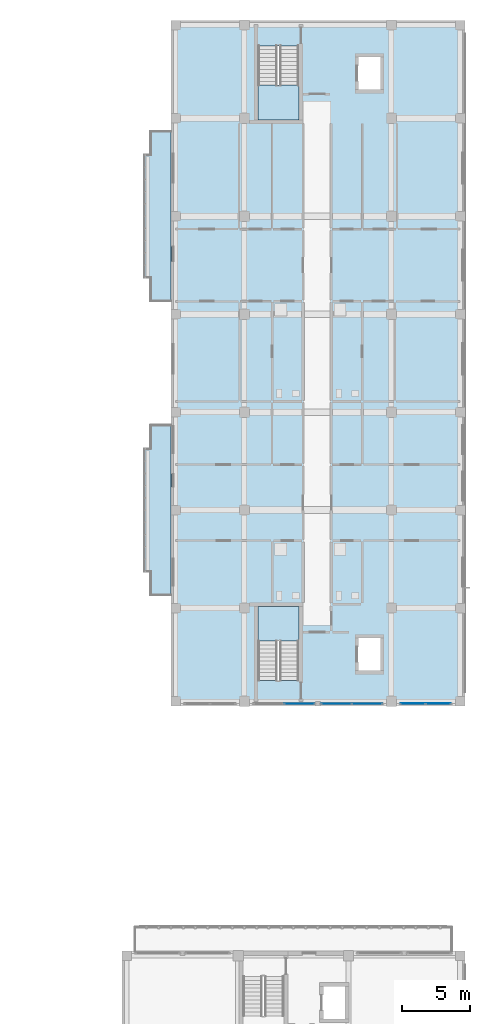
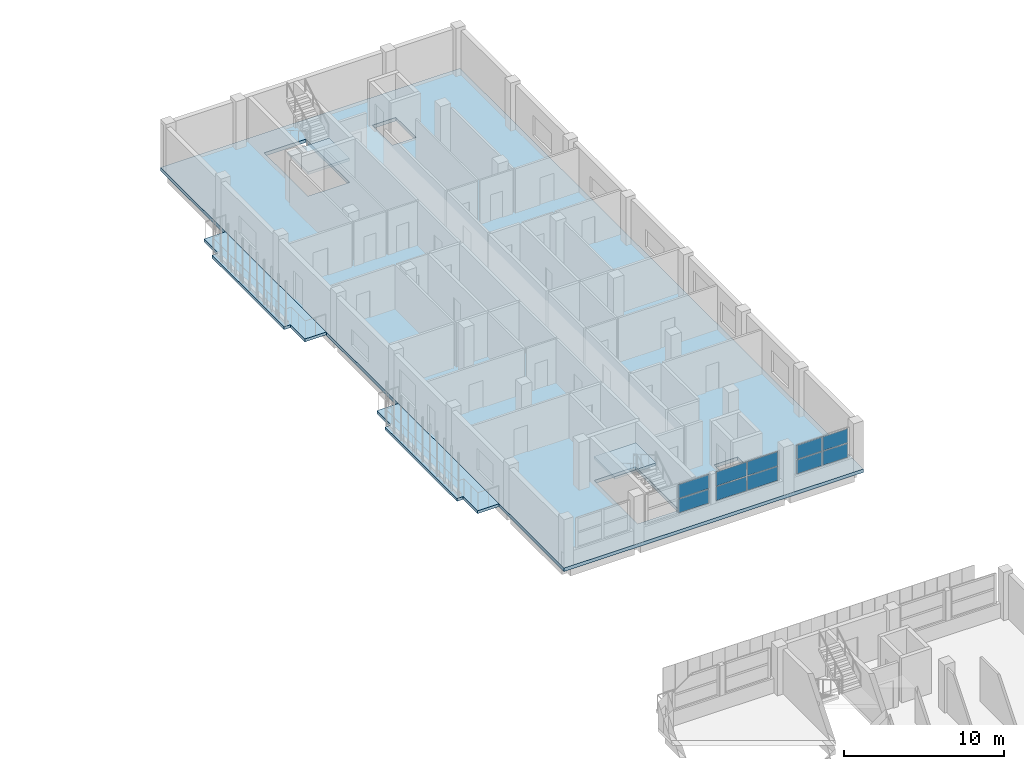
# One storey, part 33 of 73: 10 plates, 5 slabs, 5 elements without a shape of their own.
"""IFC4 building model written with IfcOpenShell, lengths in metres."""

from ifc_helpers import new_model, si_unit, derived_unit, direction, frame, origin, origin_2d, place, context, subcontext, project, spatial, polyline, rectangle, outline, extrude, material, layer, layer_set, type_object, element, aggregate, save


model = new_model("IFC4")

# Units and contexts
model_context = context("Model", 3, precision=1e-05, world=origin(), true_north=direction((0.0, 1.0)))
body_context = subcontext(model_context, "Body", "Model", "MODEL_VIEW")
ifc_project = project(units=[si_unit("LENGTHUNIT", "METRE"), si_unit("AREAUNIT", "SQUARE_METRE"), si_unit("VOLUMEUNIT", "CUBIC_METRE"), si_unit("PLANEANGLEUNIT", "RADIAN"), si_unit("MASSUNIT", "GRAM", prefix="KILO"), derived_unit("THERMALTRANSMITTANCEUNIT", [(si_unit("MASSUNIT", "GRAM", prefix="KILO"), 1), (si_unit("TIMEUNIT", "SECOND"), -3), (si_unit("THERMODYNAMICTEMPERATUREUNIT", "KELVIN"), -1)])], contexts=[model_context])

# Site, building, storey
site_placement = place(None, origin())
site = spatial("IfcSite", under=ifc_project, at=site_placement, CompositionType="ELEMENT")
building_placement = place(site_placement, origin())
building = spatial("IfcBuilding", under=site, at=building_placement, Name="Ochrekiln Boulevard Commons", CompositionType="ELEMENT")
storey_placement = place(building_placement, frame((0.0, 0.0, 4.89990234375)))
storey = spatial("IfcBuildingStorey", under=building, at=storey_placement, Name="L01", CompositionType="ELEMENT", Elevation=4.89990234375)

# Curtain wall, plates
ifc_material_1 = material(Name="Bronze-anodized extruded aluminium 6063-T6", Category="aluminium")
ifc_layer_1 = layer(ifc_material_1, 0.18408203125)
ifc_layer_set_1 = layer_set([ifc_layer_1], Name="Bronze-anodized extruded aluminium 6063-T6")
curtain_wall_type = type_object("IfcCurtainWallType", Name="CW-GABLE-B", PredefinedType="USERDEFINED", material=ifc_layer_set_1)
curtain_wall_1_placement = place(storey_placement, origin())
curtain_wall_1 = element("IfcCurtainWall", 1, at=curtain_wall_1_placement, inside=storey, type_object=curtain_wall_type, Name="Block B L01 Courtyard Glazed Gable Curtain Wall 2", ObjectType="GLAZED CURTAIN WALL", PredefinedType="USERDEFINED")
ifc_material_2 = material(Name="Spectrally selective low-E insulated glazing", Category="glass")
ifc_layer_2 = layer(ifc_material_2, 0.02392578125)
ifc_layer_set_2 = layer_set([ifc_layer_2], Name="Spectrally selective low-E insulated glazing")
plate_type_1 = type_object("IfcPlateType", Name="CWP-GLZ-1", PredefinedType="CURTAIN_PANEL", material=ifc_layer_set_2)
plate_1_placement = place(storey_placement, frame((160.638671875, 68.570068359375, 1.17529296875), z_axis=(0.0, 0.0, 1.0), x_axis=(1.0, 0.0, 0.0)))
plate_1 = element("IfcPlate", 2, at=plate_1_placement, type_object=plate_type_1, Name="CW-02 panel 2.1", PredefinedType="CURTAIN_PANEL", context=body_context, shape_type="SweptSolid", body=[
    extrude(rectangle(XDim=2.1923828125, YDim=0.02392578125, at=origin_2d()), origin(), (0.0, 0.0, 1.0), 1.054443359375),
])
plate_2_placement = place(storey_placement, frame((160.638671875, 68.570068359375, 2.29443359375), z_axis=(0.0, 0.0, 1.0), x_axis=(1.0, 0.0, 0.0)))
plate_2 = element("IfcPlate", 3, at=plate_2_placement, type_object=plate_type_1, Name="CW-02 panel 2.2", PredefinedType="CURTAIN_PANEL", context=body_context, shape_type="SweptSolid", body=[
    extrude(rectangle(XDim=2.1923828125, YDim=0.02392578125, at=origin_2d()), origin(), (0.0, 0.0, 1.0), 1.055419921875),
])
aggregate(curtain_wall_1, [plate_1, plate_2])

curtain_wall_2_placement = place(storey_placement, origin())
curtain_wall_2 = element("IfcCurtainWall", 4, at=curtain_wall_2_placement, inside=storey, type_object=curtain_wall_type, Name="Block B L01 Courtyard Glazed Gable Curtain Wall 3", ObjectType="GLAZED CURTAIN WALL", PredefinedType="USERDEFINED")
ifc_layer_3 = layer(ifc_material_2, 0.030029296875)
ifc_layer_set_3 = layer_set([ifc_layer_3], Name="Spectrally selective low-E insulated glazing")
plate_type_2 = type_object("IfcPlateType", Name="CWP-GLZ-2", PredefinedType="CURTAIN_PANEL", material=ifc_layer_set_3)
plate_3_placement = place(storey_placement, frame((163.360107421875, 68.570068359375, 1.170166015625), z_axis=(0.0, 0.0, 1.0), x_axis=(1.0, 0.0, 0.0)))
plate_3 = element("IfcPlate", 5, at=plate_3_placement, type_object=plate_type_2, Name="CW-02 panel 1.1", PredefinedType="CURTAIN_PANEL", context=body_context, shape_type="SweptSolid", body=[
    extrude(rectangle(XDim=2.199951171875, YDim=0.030029296875, at=origin_2d()), origin(), (0.0, 0.0, 1.0), 1.06201171875),
])
plate_4_placement = place(storey_placement, frame((163.360107421875, 68.570068359375, 2.2919921875), z_axis=(0.0, 0.0, 1.0), x_axis=(1.0, 0.0, 0.0)))
plate_4 = element("IfcPlate", 6, at=plate_4_placement, type_object=plate_type_2, Name="CW-02 panel 1.2", PredefinedType="CURTAIN_PANEL", context=body_context, shape_type="SweptSolid", body=[
    extrude(rectangle(XDim=2.199951171875, YDim=0.030029296875, at=origin_2d()), origin(), (0.0, 0.0, 1.0), 1.06298828125),
])
plate_5_placement = place(storey_placement, frame((165.6201171875, 68.570068359375, 1.170166015625), z_axis=(0.0, 0.0, 1.0), x_axis=(1.0, 0.0, 0.0)))
plate_5 = element("IfcPlate", 7, at=plate_5_placement, type_object=plate_type_2, Name="CW-02 panel 2.1", PredefinedType="CURTAIN_PANEL", context=body_context, shape_type="SweptSolid", body=[
    extrude(rectangle(XDim=2.199951171875, YDim=0.030029296875, at=origin_2d()), origin(), (0.0, 0.0, 1.0), 1.06201171875),
])
plate_6_placement = place(storey_placement, frame((165.6201171875, 68.570068359375, 2.2919921875), z_axis=(0.0, 0.0, 1.0), x_axis=(1.0, 0.0, 0.0)))
plate_6 = element("IfcPlate", 8, at=plate_6_placement, type_object=plate_type_2, Name="CW-02 panel 2.2", PredefinedType="CURTAIN_PANEL", context=body_context, shape_type="SweptSolid", body=[
    extrude(rectangle(XDim=2.199951171875, YDim=0.030029296875, at=origin_2d()), origin(), (0.0, 0.0, 1.0), 1.06298828125),
])
aggregate(curtain_wall_2, [plate_3, plate_4, plate_5, plate_6])

curtain_wall_3_placement = place(storey_placement, origin())
curtain_wall_3 = element("IfcCurtainWall", 9, at=curtain_wall_3_placement, inside=storey, type_object=curtain_wall_type, Name="Block B L01 Courtyard Glazed Gable Curtain Wall 4", ObjectType="GLAZED CURTAIN WALL", PredefinedType="USERDEFINED")
ifc_layer_4 = layer(ifc_material_2, 0.035888671875)
ifc_layer_set_4 = layer_set([ifc_layer_4], Name="Spectrally selective low-E insulated glazing")
plate_type_3 = type_object("IfcPlateType", Name="CWP-GLZ-3", PredefinedType="CURTAIN_PANEL", material=ifc_layer_set_4)
plate_7_placement = place(storey_placement, frame((168.98876953125, 68.570068359375, 1.17529296875), z_axis=(0.0, 0.0, 1.0), x_axis=(1.0, 0.0, 0.0)))
plate_7 = element("IfcPlate", 10, at=plate_7_placement, type_object=plate_type_3, Name="CW-02 panel 1.1", PredefinedType="CURTAIN_PANEL", context=body_context, shape_type="SweptSolid", body=[
    extrude(rectangle(XDim=1.8076171875, YDim=0.035888671875, at=origin_2d()), origin(), (0.0, 0.0, 1.0), 1.054443359375),
])
plate_8_placement = place(storey_placement, frame((168.98876953125, 68.570068359375, 2.29443359375), z_axis=(0.0, 0.0, 1.0), x_axis=(1.0, 0.0, 0.0)))
plate_8 = element("IfcPlate", 11, at=plate_8_placement, type_object=plate_type_3, Name="CW-02 panel 1.2", PredefinedType="CURTAIN_PANEL", context=body_context, shape_type="SweptSolid", body=[
    extrude(rectangle(XDim=1.8076171875, YDim=0.035888671875, at=origin_2d()), origin(), (0.0, 0.0, 1.0), 1.055419921875),
])
plate_9_placement = place(storey_placement, frame((170.861328125, 68.570068359375, 1.17529296875), z_axis=(0.0, 0.0, 1.0), x_axis=(1.0, 0.0, 0.0)))
plate_9 = element("IfcPlate", 12, at=plate_9_placement, type_object=plate_type_3, Name="CW-02 panel 2.1", PredefinedType="CURTAIN_PANEL", context=body_context, shape_type="SweptSolid", body=[
    extrude(rectangle(XDim=1.8076171875, YDim=0.035888671875, at=origin_2d()), origin(), (0.0, 0.0, 1.0), 1.054443359375),
])
plate_10_placement = place(storey_placement, frame((170.861328125, 68.570068359375, 2.29443359375), z_axis=(0.0, 0.0, 1.0), x_axis=(1.0, 0.0, 0.0)))
plate_10 = element("IfcPlate", 13, at=plate_10_placement, type_object=plate_type_3, Name="CW-02 panel 2.2", PredefinedType="CURTAIN_PANEL", context=body_context, shape_type="SweptSolid", body=[
    extrude(rectangle(XDim=1.8076171875, YDim=0.035888671875, at=origin_2d()), origin(), (0.0, 0.0, 1.0), 1.055419921875),
])
aggregate(curtain_wall_3, [plate_7, plate_8, plate_9, plate_10])

# Slabs
ifc_material_3 = material(Name="Concrete C35/45", Category="concrete")
ifc_layer_5 = layer(ifc_material_3, 0.219970703125)
ifc_layer_set_5 = layer_set([ifc_layer_5], Name="Concrete C35/45")
slab_type_1 = type_object("IfcSlabType", Name="SLB-BAL-220", PredefinedType="FLOOR", material=ifc_layer_set_5)
slab_1_placement = place(storey_placement, frame((0.0, 0.0, -0.219970703125)))
element("IfcSlab", 14, at=slab_1_placement, inside=storey, type_object=slab_type_1, Name="Block B L01 Planter-Box Balcony Slab 1", PredefinedType="FLOOR", context=body_context, shape_type="SweptSolid", body=[
    extrude(outline(polyline([(151.199951171875, 76.5), (151.199951171875, 89.10009765625), (149.64990234375, 89.10009765625), (149.64990234375, 87.300048828125), (149.199951171875, 87.300048828125), (149.199951171875, 78.300048828125), (149.64990234375, 78.300048828125), (149.64990234375, 76.5), (151.199951171875, 76.5)])), origin(), (0.0, 0.0, 1.0), 0.219970703125),
])
slab_2_placement = place(storey_placement, frame((0.0, 0.0, -0.219970703125)))
element("IfcSlab", 15, at=slab_2_placement, inside=storey, type_object=slab_type_1, Name="Block B L01 Planter-Box Balcony Slab 2", PredefinedType="FLOOR", context=body_context, shape_type="SweptSolid", body=[
    extrude(outline(polyline([(151.199951171875, 98.10009765625), (151.199951171875, 110.699951171875), (149.64990234375, 110.699951171875), (149.64990234375, 108.89990234375), (149.199951171875, 108.89990234375), (149.199951171875, 99.89990234375), (149.64990234375, 99.89990234375), (149.64990234375, 98.10009765625), (151.199951171875, 98.10009765625)])), origin(), (0.0, 0.0, 1.0), 0.219970703125),
])

# Stair, slab
stair_type = type_object("IfcStairType", Name="STR-DL-368", PredefinedType="TWO_STRAIGHT_RUN_STAIR", material=ifc_material_3)
stair_1_placement = place(storey_placement, origin())
stair_1 = element("IfcStair", 16, at=stair_1_placement, inside=storey, type_object=stair_type, Name="L01 Enclosed Exit Stair ST-B1", PredefinedType="TWO_STRAIGHT_RUN_STAIR")
ifc_layer_6 = layer(ifc_material_3, 0.199951171875)
ifc_layer_set_6 = layer_set([ifc_layer_6], Name="Concrete C35/45")
slab_type_2 = type_object("IfcSlabType", Name="SLB-LND-200", PredefinedType="LANDING", material=ifc_layer_set_6)
slab_3_placement = place(storey_placement, frame((0.0, 0.0, 1.6376953125)))
slab_3 = element("IfcSlab", 17, at=slab_3_placement, type_object=slab_type_2, Name="ST-B1 landing 1", PredefinedType="LANDING", context=body_context, shape_type="SweptSolid", body=[
    extrude(outline(polyline([(160.60009765625, 73.169921875), (160.60009765625, 75.719970703125), (157.60009765625, 75.719970703125), (157.60009765625, 73.169921875), (160.60009765625, 73.169921875)])), origin(), (0.0, 0.0, 1.0), 0.199951171875),
])
aggregate(stair_1, [slab_3])

stair_2_placement = place(storey_placement, origin())
stair_2 = element("IfcStair", 18, at=stair_2_placement, inside=storey, type_object=stair_type, Name="L01 Enclosed Exit Stair ST-B2", PredefinedType="TWO_STRAIGHT_RUN_STAIR")
slab_4_placement = place(storey_placement, frame((0.0, 0.0, 1.6376953125)))
slab_4 = element("IfcSlab", 19, at=slab_4_placement, type_object=slab_type_2, Name="ST-B2 landing 1", PredefinedType="LANDING", context=body_context, shape_type="SweptSolid", body=[
    extrude(outline(polyline([(157.60009765625, 114.030029296875), (157.60009765625, 111.47998046875), (160.60009765625, 111.47998046875), (160.60009765625, 114.030029296875), (157.60009765625, 114.030029296875)])), origin(), (0.0, 0.0, 1.0), 0.199951171875),
])
aggregate(stair_2, [slab_4])

# Slab
ifc_layer_7 = layer(ifc_material_3, 0.260009765625)
ifc_layer_set_7 = layer_set([ifc_layer_7], Name="Concrete C35/45")
slab_type_3 = type_object("IfcSlabType", Name="SLB-RES-260", PredefinedType="FLOOR", material=ifc_layer_set_7)
slab_5_placement = place(storey_placement, frame((0.0, 0.0, -0.260009765625)))
element("IfcSlab", 20, at=slab_5_placement, inside=storey, type_object=slab_type_3, Name="Block B L01 Reinforced Concrete Floor Slab", PredefinedType="FLOOR", context=body_context, shape_type="SweptSolid", body=[
    extrude(outline(polyline([(151.199951171875, 68.39990234375), (172.800048828125, 68.39990234375), (172.800048828125, 118.800048828125), (151.199951171875, 118.800048828125), (151.199951171875, 68.39990234375)]), holes=[polyline([(160.60009765625, 70.2705078125), (160.60009765625, 75.719970703125), (157.60009765625, 75.719970703125), (157.60009765625, 70.2705078125), (160.60009765625, 70.2705078125)]), polyline([(157.60009765625, 116.929443359375), (157.60009765625, 111.47998046875), (160.60009765625, 111.47998046875), (160.60009765625, 116.929443359375), (157.60009765625, 116.929443359375)]), polyline([(164.949951171875, 70.949951171875), (166.64990234375, 70.949951171875), (166.64990234375, 73.449951171875), (164.949951171875, 73.449951171875), (164.949951171875, 70.949951171875)]), polyline([(164.949951171875, 113.64990234375), (166.64990234375, 113.64990234375), (166.64990234375, 116.14990234375), (164.949951171875, 116.14990234375), (164.949951171875, 113.64990234375)])]), origin(), (0.0, 0.0, 1.0), 0.260009765625),
])

save(model, "model.ifc")
